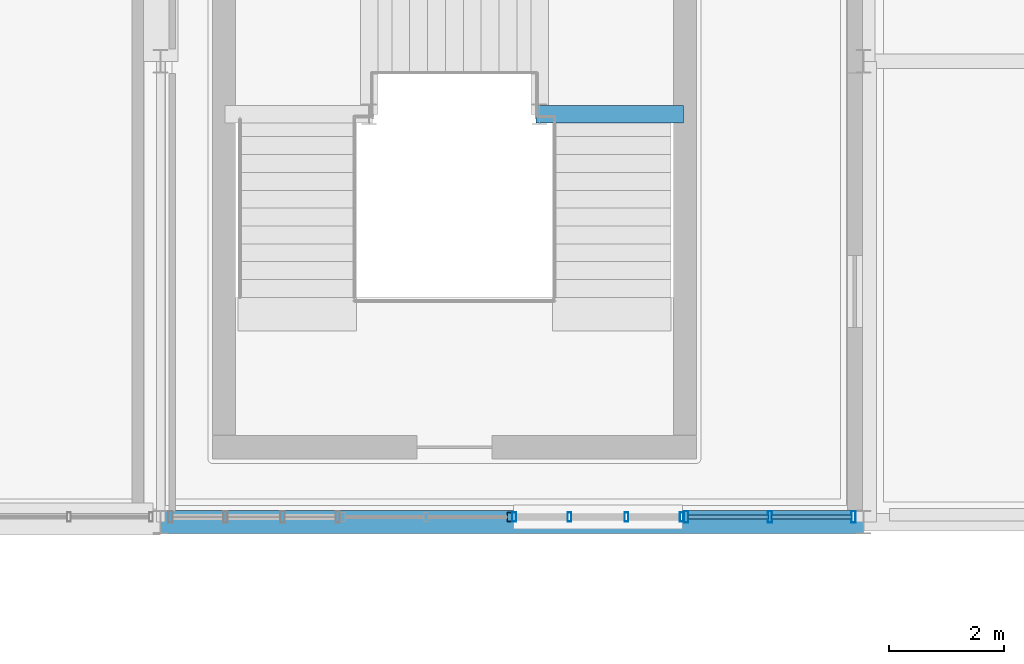
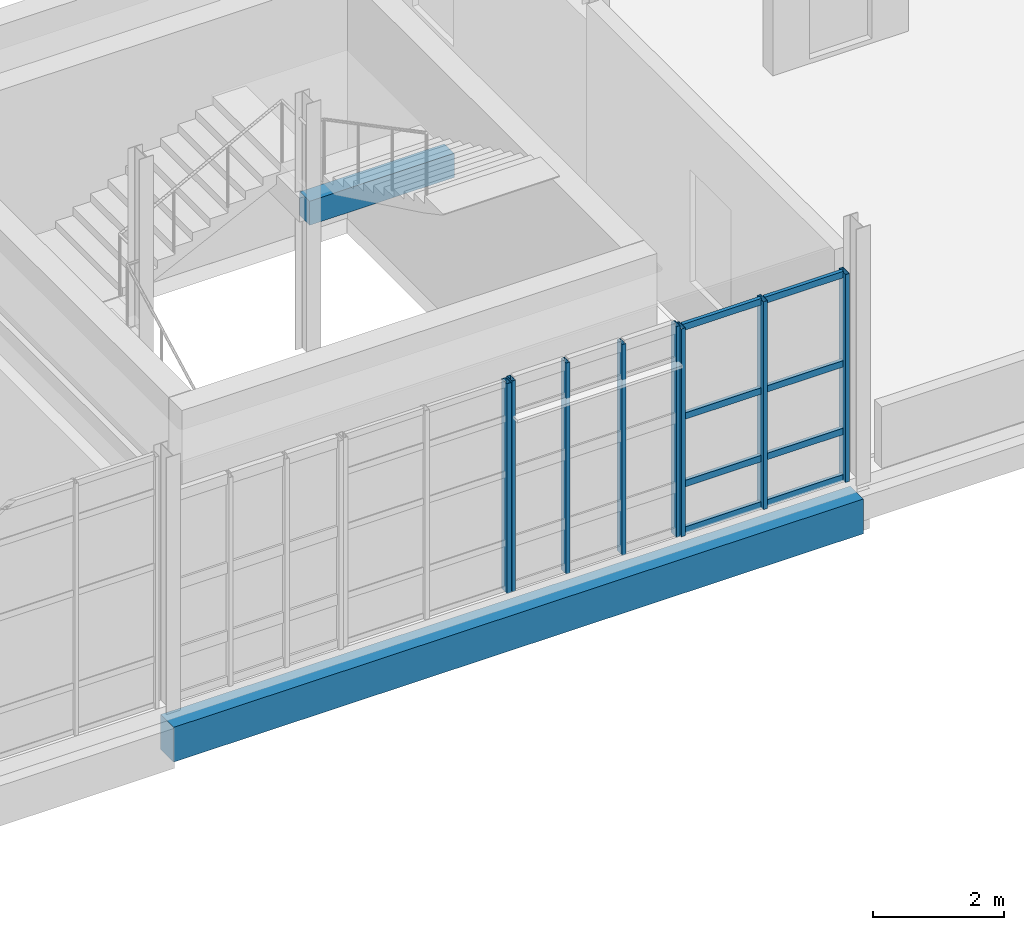
# One storey, part 73 of 127: 16 members, 2 beams, 3 elements without a shape of their own.
"""IFC4 building model written with IfcOpenShell, lengths in metres."""

from ifc_helpers import new_model, si_unit, derived_unit, direction, frame, origin, origin_2d, place, context, subcontext, project, spatial, rectangle, hollow_rectangle, extrude, material, layer, layer_set, material_profile, profile_set, type_object, element, aggregate, save


model = new_model("IFC4")

# Units and contexts
model_context = context("Model", 3, precision=1e-05, world=origin(), true_north=direction((0.0, 1.0)))
body_context = subcontext(model_context, "Body", "Model", "MODEL_VIEW")
ifc_project = project(units=[si_unit("LENGTHUNIT", "METRE"), si_unit("AREAUNIT", "SQUARE_METRE"), si_unit("VOLUMEUNIT", "CUBIC_METRE"), si_unit("PLANEANGLEUNIT", "RADIAN"), si_unit("MASSUNIT", "GRAM", prefix="KILO"), derived_unit("THERMALTRANSMITTANCEUNIT", [(si_unit("POWERUNIT", "WATT"), 1), (si_unit("LENGTHUNIT", "METRE"), -2), (si_unit("THERMODYNAMICTEMPERATUREUNIT", "KELVIN"), -1)])], contexts=[model_context])

# Site, building, storey
site_placement = place(None, origin())
site = spatial("IfcSite", under=ifc_project, at=site_placement, CompositionType="ELEMENT")
building_placement = place(site_placement, origin())
building = spatial("IfcBuilding", under=site, at=building_placement, Name="Nallur Shell Playhouse", CompositionType="ELEMENT")
storey_placement = place(building_placement, frame((0.0, 0.0, 5.39990234375)))
storey = spatial("IfcBuildingStorey", under=building, at=storey_placement, Name="L02", CompositionType="ELEMENT", Elevation=5.39990234375)

# Beams
ifc_material_1 = material(Name="Concrete M35", Category="concrete")
ifc_material_profile_1 = material_profile(ifc_material_1, rectangle(XDim=0.39990234375, YDim=0.64990234375, at=origin_2d()), Name="RC 400x650")
ifc_profile_set_1 = profile_set([ifc_material_profile_1], Name="Concrete M35")
beam_type_1 = type_object("IfcBeamType", Name="BM-RC-400x650", PredefinedType="BEAM", material=ifc_profile_set_1)
beam_1_placement = place(storey_placement, frame((147.60009765625, 24.0, -0.60498046875), z_axis=(1.0, 0.0, 0.0), x_axis=(0.0, 1.0, 0.0)))
element("IfcBeam", 1, at=beam_1_placement, inside=storey, type_object=beam_type_1, Name="L02 girder X-C-335", PredefinedType="BEAM", context=body_context, shape_type="SweptSolid", body=[
    extrude(rectangle(XDim=0.39990234375, YDim=0.64990234375, at=origin_2d()), origin(), (0.0, 0.0, 1.0), 12.199951171875),
])
ifc_material_profile_2 = material_profile(ifc_material_1, rectangle(XDim=0.300048828125, YDim=0.449951171875, at=origin_2d()), Name="RC 300x450")
ifc_profile_set_2 = profile_set([ifc_material_profile_2], Name="Concrete M35")
beam_type_2 = type_object("IfcBeamType", Name="BM-SPN-300x450", PredefinedType="SPANDREL", material=ifc_profile_set_2)
beam_2_placement = place(storey_placement, frame((154.1201171875, 31.080078125, 2.72509765625), z_axis=(1.0, 0.0, 0.0), x_axis=(0.0, 1.0, 0.0)))
element("IfcBeam", 2, at=beam_2_placement, inside=storey, type_object=beam_type_2, Name="Stair ST-08-L02 L2 south bearer beam", PredefinedType="SPANDREL", context=body_context, shape_type="SweptSolid", body=[
    extrude(rectangle(XDim=0.300048828125, YDim=0.449951171875, at=origin_2d()), origin(), (0.0, 0.0, 1.0), 2.559814453125),
])

# Curtain wall, member
ifc_material_2 = material(Name="Anodised Aluminium Double-Glazed Facade System", Category="aluminium")
ifc_layer_1 = layer(ifc_material_2, 0.172119140625)
ifc_layer_set_1 = layer_set([ifc_layer_1], Name="Anodised Aluminium Double-Glazed Facade System")
curtain_wall_type_1 = type_object("IfcCurtainWallType", Name="CW-UNIT-09", PredefinedType="NOTDEFINED", material=ifc_layer_set_1)
curtain_wall_1_placement = place(storey_placement, origin())
curtain_wall_1 = element("IfcCurtainWall", 3, at=curtain_wall_1_placement, inside=storey, type_object=curtain_wall_type_1, Name="Unitised curtain wall CW-041 (L02)", PredefinedType="NOTDEFINED")
ifc_material_3 = material(Name="Aluminium Alloy 6063-T6 Mullion", Category="aluminium")
ifc_material_profile_3 = material_profile(ifc_material_3, hollow_rectangle(XDim=0.080078125, YDim=0.159912109375, WallThickness=0.006103515625, at=origin_2d()), Name="RHS 160x80x6")
ifc_profile_set_3 = profile_set([ifc_material_profile_3], Name="Aluminium Alloy 6063-T6 Mullion")
member_type_1 = type_object("IfcMemberType", Name="MB-CW-MUL150", PredefinedType="MULLION", material=ifc_profile_set_3)
member_1_placement = place(storey_placement, frame((153.655029296875, 24.090087890625, -0.014892578125), z_axis=(0.0, 0.0, 1.0), x_axis=(-1.0, 0.0, 0.0)))
member_1 = element("IfcMember", 4, at=member_1_placement, type_object=member_type_1, Name="CW-09 mullion 1", PredefinedType="MULLION", context=body_context, shape_type="SweptSolid", body=[
    extrude(hollow_rectangle(XDim=0.080078125, YDim=0.159912109375, WallThickness=0.006103515625, at=origin_2d()), origin(), (0.0, 0.0, 1.0), 3.924072265625),
])
aggregate(curtain_wall_1, [member_1])

# Curtain wall, members
ifc_layer_2 = layer(ifc_material_2, 0.16796875)
ifc_layer_set_2 = layer_set([ifc_layer_2], Name="Anodised Aluminium Double-Glazed Facade System")
curtain_wall_type_2 = type_object("IfcCurtainWallType", Name="CW-UNIT-08", PredefinedType="NOTDEFINED", material=ifc_layer_set_2)
curtain_wall_2_placement = place(storey_placement, origin())
curtain_wall_2 = element("IfcCurtainWall", 5, at=curtain_wall_2_placement, inside=storey, type_object=curtain_wall_type_2, Name="Unitised curtain wall CW-040 (L02)", PredefinedType="NOTDEFINED")
ifc_material_profile_4 = material_profile(ifc_material_3, hollow_rectangle(XDim=0.06494140625, YDim=0.159912109375, WallThickness=0.00390625, at=origin_2d()), Name="ALU 65x160x4")
ifc_profile_set_4 = profile_set([ifc_material_profile_4], Name="Aluminium Alloy 6063-T6 Mullion")
member_type_2 = type_object("IfcMemberType", Name="MB-CW-MUL160", PredefinedType="MULLION", material=ifc_profile_set_4)
member_2_placement = place(storey_placement, frame((156.64599609375, 24.090087890625, -0.014892578125), z_axis=(0.0, 0.0, 1.0), x_axis=(-1.0, 0.0, 0.0)))
member_2 = element("IfcMember", 6, at=member_2_placement, type_object=member_type_2, Name="CW-08 mullion 1", PredefinedType="MULLION", context=body_context, shape_type="SweptSolid", body=[
    extrude(hollow_rectangle(XDim=0.06494140625, YDim=0.159912109375, WallThickness=0.00390625, at=origin_2d()), origin(), (0.0, 0.0, 1.0), 3.944091796875),
])
member_3_placement = place(storey_placement, frame((155.687255859375, 24.090087890625, -0.014892578125), z_axis=(0.0, 0.0, 1.0), x_axis=(-1.0, 0.0, 0.0)))
member_3 = element("IfcMember", 7, at=member_3_placement, type_object=member_type_2, Name="CW-08 mullion 2", PredefinedType="MULLION", context=body_context, shape_type="SweptSolid", body=[
    extrude(hollow_rectangle(XDim=0.06494140625, YDim=0.159912109375, WallThickness=0.00390625, at=origin_2d()), origin(), (0.0, 0.0, 1.0), 3.944091796875),
])
member_4_placement = place(storey_placement, frame((154.696044921875, 24.090087890625, -0.014892578125), z_axis=(0.0, 0.0, 1.0), x_axis=(-1.0, 0.0, 0.0)))
member_4 = element("IfcMember", 8, at=member_4_placement, type_object=member_type_2, Name="CW-08 mullion 3", PredefinedType="MULLION", context=body_context, shape_type="SweptSolid", body=[
    extrude(hollow_rectangle(XDim=0.06494140625, YDim=0.159912109375, WallThickness=0.00390625, at=origin_2d()), origin(), (0.0, 0.0, 1.0), 3.944091796875),
])
member_5_placement = place(storey_placement, frame((153.737548828125, 24.090087890625, -0.014892578125), z_axis=(0.0, 0.0, 1.0), x_axis=(-1.0, 0.0, 0.0)))
member_5 = element("IfcMember", 9, at=member_5_placement, type_object=member_type_2, Name="CW-08 mullion 4", PredefinedType="MULLION", context=body_context, shape_type="SweptSolid", body=[
    extrude(hollow_rectangle(XDim=0.06494140625, YDim=0.159912109375, WallThickness=0.00390625, at=origin_2d()), origin(), (0.0, 0.0, 1.0), 3.944091796875),
])
aggregate(curtain_wall_2, [member_2, member_3, member_4, member_5])

ifc_layer_3 = layer(ifc_material_2, 0.1640625)
ifc_layer_set_3 = layer_set([ifc_layer_3], Name="Anodised Aluminium Double-Glazed Facade System")
curtain_wall_type_3 = type_object("IfcCurtainWallType", Name="CW-UNIT-07", PredefinedType="NOTDEFINED", material=ifc_layer_set_3)
curtain_wall_3_placement = place(storey_placement, origin())
curtain_wall_3 = element("IfcCurtainWall", 10, at=curtain_wall_3_placement, inside=storey, type_object=curtain_wall_type_3, Name="Unitised curtain wall CW-039 (L02)", PredefinedType="NOTDEFINED")
ifc_material_profile_5 = material_profile(ifc_material_3, hollow_rectangle(XDim=0.074951171875, YDim=0.199951171875, WallThickness=0.0048828125, at=origin_2d()), Name="ALU 75x200x5")
ifc_profile_set_5 = profile_set([ifc_material_profile_5], Name="Aluminium Alloy 6063-T6 Mullion")
member_type_3 = type_object("IfcMemberType", Name="MB-CW-MUL180", PredefinedType="MULLION", material=ifc_profile_set_5)
member_6_placement = place(storey_placement, frame((159.62939453125, 24.090087890625, -0.014892578125), z_axis=(0.0, 0.0, 1.0), x_axis=(-1.0, 0.0, 0.0)))
member_6 = element("IfcMember", 11, at=member_6_placement, type_object=member_type_3, Name="CW-07 mullion 1", PredefinedType="MULLION", context=body_context, shape_type="SweptSolid", body=[
    extrude(hollow_rectangle(XDim=0.074951171875, YDim=0.199951171875, WallThickness=0.0048828125, at=origin_2d()), origin(), (0.0, 0.0, 1.0), 3.884033203125),
])
member_7_placement = place(storey_placement, frame((158.177734375, 24.090087890625, -0.014892578125), z_axis=(0.0, 0.0, 1.0), x_axis=(-1.0, 0.0, 0.0)))
member_7 = element("IfcMember", 12, at=member_7_placement, type_object=member_type_3, Name="CW-07 mullion 2", PredefinedType="MULLION", context=body_context, shape_type="SweptSolid", body=[
    extrude(hollow_rectangle(XDim=0.074951171875, YDim=0.199951171875, WallThickness=0.0048828125, at=origin_2d()), origin(), (0.0, 0.0, 1.0), 3.884033203125),
])
member_8_placement = place(storey_placement, frame((156.72607421875, 24.090087890625, -0.014892578125), z_axis=(0.0, 0.0, 1.0), x_axis=(-1.0, 0.0, 0.0)))
member_8 = element("IfcMember", 13, at=member_8_placement, type_object=member_type_3, Name="CW-07 mullion 3", PredefinedType="MULLION", context=body_context, shape_type="SweptSolid", body=[
    extrude(hollow_rectangle(XDim=0.074951171875, YDim=0.199951171875, WallThickness=0.0048828125, at=origin_2d()), origin(), (0.0, 0.0, 1.0), 3.884033203125),
])
ifc_material_4 = material(Name="Aluminium Alloy 6063-T6 Transom", Category="aluminium")
ifc_material_profile_6 = material_profile(ifc_material_4, hollow_rectangle(XDim=0.06494140625, YDim=0.1201171875, WallThickness=0.00390625, at=origin_2d()), Name="ALU 65x120x4")
ifc_profile_set_6 = profile_set([ifc_material_profile_6], Name="Aluminium Alloy 6063-T6 Transom")
member_type_4 = type_object("IfcMemberType", Name="MB-CW-TRN120", PredefinedType="USERDEFINED", material=ifc_profile_set_6)
member_9_placement = place(storey_placement, frame((159.60009765625, 24.090087890625, 0.03271484375), z_axis=(-1.0, 0.0, 0.0), x_axis=(0.0, -1.0, 0.0)))
member_9 = element("IfcMember", 14, at=member_9_placement, type_object=member_type_4, Name="CW-07 transom 1.1", ObjectType="TRANSOM", PredefinedType="USERDEFINED", context=body_context, shape_type="SweptSolid", body=[
    extrude(hollow_rectangle(XDim=0.06494140625, YDim=0.1201171875, WallThickness=0.00390625, at=origin_2d()), origin(), (0.0, 0.0, 1.0), 1.392822265625),
])
member_10_placement = place(storey_placement, frame((159.60009765625, 24.090087890625, 0.900146484375), z_axis=(-1.0, 0.0, 0.0), x_axis=(0.0, -1.0, 0.0)))
member_10 = element("IfcMember", 15, at=member_10_placement, type_object=member_type_4, Name="CW-07 transom 1.2", ObjectType="TRANSOM", PredefinedType="USERDEFINED", context=body_context, shape_type="SweptSolid", body=[
    extrude(hollow_rectangle(XDim=0.06494140625, YDim=0.1201171875, WallThickness=0.00390625, at=origin_2d()), origin(), (0.0, 0.0, 1.0), 1.392822265625),
])
member_11_placement = place(storey_placement, frame((159.60009765625, 24.090087890625, 2.1640625), z_axis=(-1.0, 0.0, 0.0), x_axis=(0.0, -1.0, 0.0)))
member_11 = element("IfcMember", 16, at=member_11_placement, type_object=member_type_4, Name="CW-07 transom 1.3", ObjectType="TRANSOM", PredefinedType="USERDEFINED", context=body_context, shape_type="SweptSolid", body=[
    extrude(hollow_rectangle(XDim=0.06494140625, YDim=0.1201171875, WallThickness=0.00390625, at=origin_2d()), origin(), (0.0, 0.0, 1.0), 1.392822265625),
])
member_12_placement = place(storey_placement, frame((159.60009765625, 24.090087890625, 3.83251953125), z_axis=(-1.0, 0.0, 0.0), x_axis=(0.0, -1.0, 0.0)))
member_12 = element("IfcMember", 17, at=member_12_placement, type_object=member_type_4, Name="CW-07 transom 1.4", ObjectType="TRANSOM", PredefinedType="USERDEFINED", context=body_context, shape_type="SweptSolid", body=[
    extrude(hollow_rectangle(XDim=0.06494140625, YDim=0.1201171875, WallThickness=0.00390625, at=origin_2d()), origin(), (0.0, 0.0, 1.0), 1.392822265625),
])
member_13_placement = place(storey_placement, frame((158.148193359375, 24.090087890625, 0.03271484375), z_axis=(-1.0, 0.0, 0.0), x_axis=(0.0, -1.0, 0.0)))
member_13 = element("IfcMember", 18, at=member_13_placement, type_object=member_type_4, Name="CW-07 transom 2.1", ObjectType="TRANSOM", PredefinedType="USERDEFINED", context=body_context, shape_type="SweptSolid", body=[
    extrude(hollow_rectangle(XDim=0.06494140625, YDim=0.1201171875, WallThickness=0.00390625, at=origin_2d()), origin(), (0.0, 0.0, 1.0), 1.392578125),
])
member_14_placement = place(storey_placement, frame((158.148193359375, 24.090087890625, 0.900146484375), z_axis=(-1.0, 0.0, 0.0), x_axis=(0.0, -1.0, 0.0)))
member_14 = element("IfcMember", 19, at=member_14_placement, type_object=member_type_4, Name="CW-07 transom 2.2", ObjectType="TRANSOM", PredefinedType="USERDEFINED", context=body_context, shape_type="SweptSolid", body=[
    extrude(hollow_rectangle(XDim=0.06494140625, YDim=0.1201171875, WallThickness=0.00390625, at=origin_2d()), origin(), (0.0, 0.0, 1.0), 1.392578125),
])
member_15_placement = place(storey_placement, frame((158.148193359375, 24.090087890625, 2.1640625), z_axis=(-1.0, 0.0, 0.0), x_axis=(0.0, -1.0, 0.0)))
member_15 = element("IfcMember", 20, at=member_15_placement, type_object=member_type_4, Name="CW-07 transom 2.3", ObjectType="TRANSOM", PredefinedType="USERDEFINED", context=body_context, shape_type="SweptSolid", body=[
    extrude(hollow_rectangle(XDim=0.06494140625, YDim=0.1201171875, WallThickness=0.00390625, at=origin_2d()), origin(), (0.0, 0.0, 1.0), 1.392578125),
])
member_16_placement = place(storey_placement, frame((158.148193359375, 24.090087890625, 3.83251953125), z_axis=(-1.0, 0.0, 0.0), x_axis=(0.0, -1.0, 0.0)))
member_16 = element("IfcMember", 21, at=member_16_placement, type_object=member_type_4, Name="CW-07 transom 2.4", ObjectType="TRANSOM", PredefinedType="USERDEFINED", context=body_context, shape_type="SweptSolid", body=[
    extrude(hollow_rectangle(XDim=0.06494140625, YDim=0.1201171875, WallThickness=0.00390625, at=origin_2d()), origin(), (0.0, 0.0, 1.0), 1.392578125),
])
aggregate(curtain_wall_3, [member_6, member_7, member_8, member_9, member_10, member_11, member_12, member_13, member_14, member_15, member_16])

save(model, "model.ifc")
